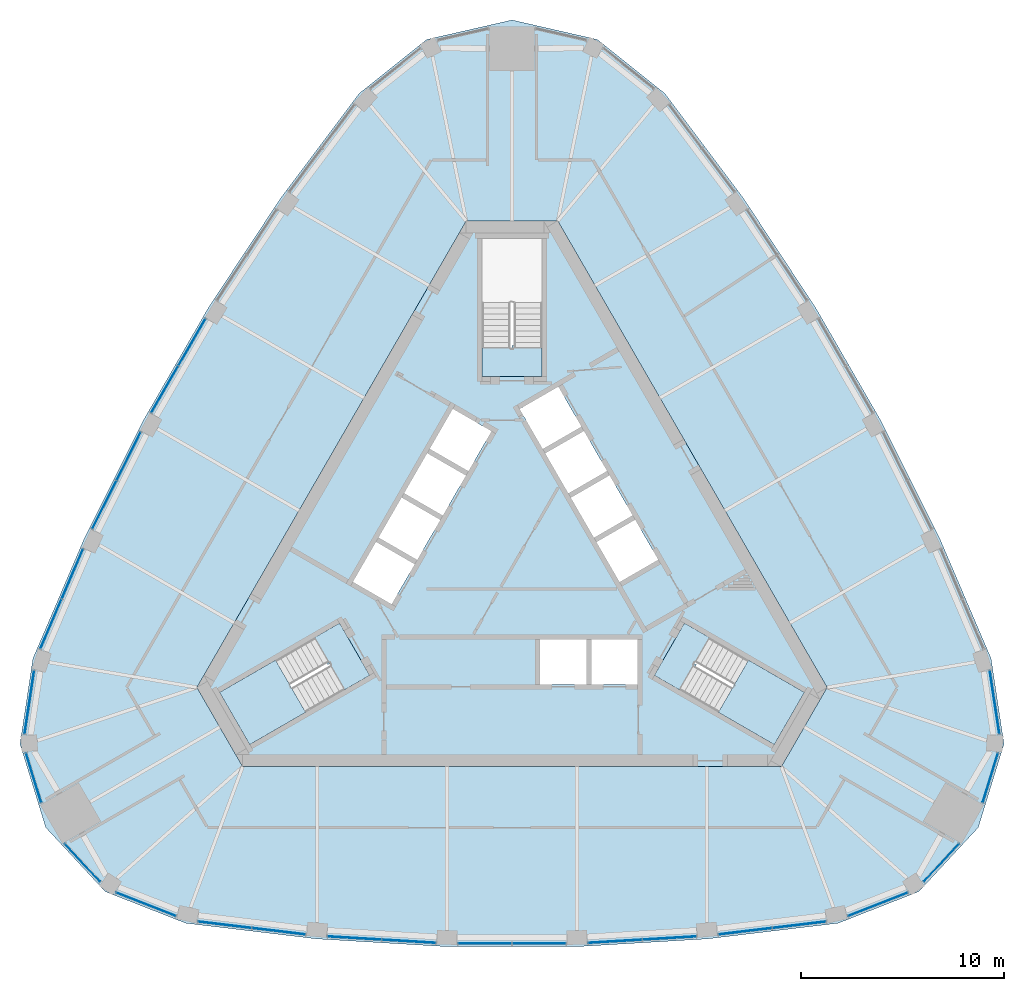
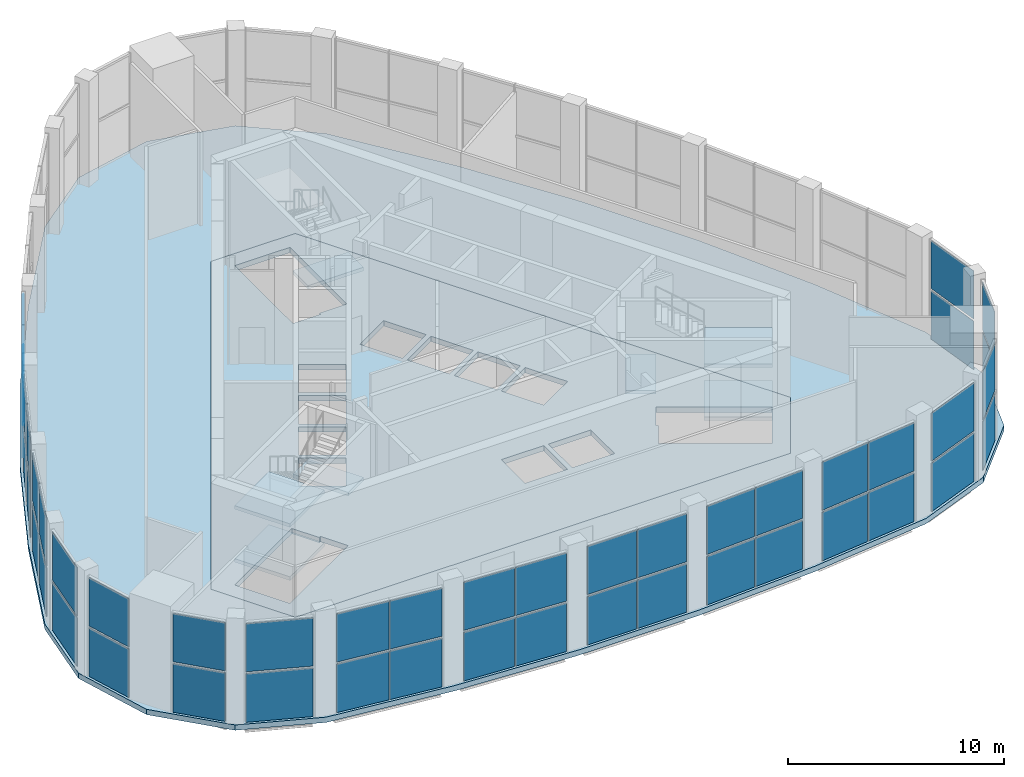
# One storey, part 8 of 15: 48 plates, 9 slabs, 7 elements without a shape of their own.
"""IFC4 building model written with IfcOpenShell, lengths in metres."""

from ifc_helpers import new_model, si_unit, direction, frame, origin, origin_2d, place, context, subcontext, project, spatial, polyline, rectangle, outline, extrude, material, layer, layer_set, type_object, element, aggregate, save


model = new_model("IFC4")

# Units and contexts
model_context = context("Model", 3, precision=1e-05, world=origin(), true_north=direction((0.0, 1.0)))
body_context = subcontext(model_context, "Body", "Model", "MODEL_VIEW")
ifc_project = project(units=[si_unit("LENGTHUNIT", "METRE"), si_unit("AREAUNIT", "SQUARE_METRE"), si_unit("VOLUMEUNIT", "CUBIC_METRE"), si_unit("PLANEANGLEUNIT", "RADIAN"), si_unit("MASSUNIT", "GRAM", prefix="KILO")], contexts=[model_context])

# Site, building, storey
site_placement = place(None, origin())
site = spatial("IfcSite", under=ifc_project, at=site_placement, CompositionType="ELEMENT")
building_placement = place(site_placement, origin())
building = spatial("IfcBuilding", under=site, at=building_placement, Name="Mestral Congress Tower", CompositionType="ELEMENT")
storey_placement = place(building_placement, frame((0.0, 0.0, 321.60009765625)))
storey = spatial("IfcBuildingStorey", under=building, at=storey_placement, Name="L75", CompositionType="ELEMENT", Elevation=321.60009765625)

# Slabs
ifc_material_1 = material(Name="Concrete C35/45", Category="concrete")
ifc_layer_1 = layer(ifc_material_1, 0.300048828125)
ifc_layer_set_1 = layer_set([ifc_layer_1], Name="Concrete C35/45")
slab_type_1 = type_object("IfcSlabType", Name="Composite floor slab 300", PredefinedType="FLOOR", material=ifc_layer_set_1)
placement_1 = place(storey_placement, frame((0.0, 0.0, -0.300048828125)))
element("IfcSlab", 1, at=placement_1, inside=storey, type_object=slab_type_1, Name="SL-L75", PredefinedType="FLOOR", context=body_context, shape_type="SweptSolid", body=[
    extrude(outline(polyline([(-16.051513671875, -17.951904296875), (-20.014404296875, -16.39794921875), (-22.940673828125, -13.244873046875), (-24.208251953125, -9.1337890625), (-23.572509765625, -4.925048828125), (-21.027587890625, 1.0234375), (-18.152099609375, 6.77001953125), (-14.939208984375, 12.335205078125), (-11.400146484375, 17.698486328125), (-7.52099609375, 22.876953125), (-4.19384765625, 25.531982421875), (0.0, 26.48974609375), (4.19384765625, 25.531982421875), (7.52099609375, 22.876953125), (11.400146484375, 17.698486328125), (14.939208984375, 12.335205078125), (18.152099609375, 6.77001953125), (21.027587890625, 1.0234375), (23.572509765625, -4.925048828125), (24.208251953125, -9.1337890625), (22.940673828125, -13.244873046875), (20.014404296875, -16.39794921875), (16.051513671875, -17.951904296875), (9.62744140625, -18.72216796875), (3.212890625, -19.105224609375), (-3.212890625, -19.105224609375), (-9.62744140625, -18.72216796875), (-16.051513671875, -17.951904296875)]), holes=[polyline([(-2.251708984375, 16.60009765625), (-15.501953125, -6.35009765625), (-13.250244140625, -10.25), (13.250244140625, -10.25), (15.501953125, -6.35009765625), (2.251708984375, 16.60009765625), (-2.251708984375, 16.60009765625)])]), origin(), (0.0, 0.0, 1.0), 0.300048828125),
])
ifc_material_2 = material(Name="Concrete C60/75", Category="concrete")
ifc_layer_2 = layer(ifc_material_2, 0.300048828125)
ifc_layer_set_2 = layer_set([ifc_layer_2], Name="Concrete C60/75")
slab_type_2 = type_object("IfcSlabType", Name="Core floor slab RC 300", PredefinedType="FLOOR", material=ifc_layer_set_2)
element("IfcSlab", 2, at=placement_1, inside=storey, type_object=slab_type_2, Name="L75 core floor", PredefinedType="FLOOR", context=body_context, shape_type="SweptSolid", body=[
    extrude(outline(polyline([(13.250244140625, -10.25), (-13.250244140625, -10.25), (-15.501953125, -6.35009765625), (-2.251708984375, 16.60009765625), (2.251708984375, 16.60009765625), (15.501953125, -6.35009765625), (13.250244140625, -10.25)]), holes=[polyline([(-14.37744140625, -6.59765625), (-12.90234375, -9.15234375), (-8.234619140625, -6.45751953125), (-8.971923828125, -5.179931640625), (-9.0673828125, -5.235107421875), (-9.8046875, -3.95751953125), (-14.37744140625, -6.59765625)]), polyline([(-5.921630859375, -2.256591796875), (-4.78662109375, -0.29052734375), (-6.69189453125, 0.809326171875), (-7.826904296875, -1.156494140625), (-5.921630859375, -2.256591796875)]), polyline([(-4.66162109375, -0.07421875), (-3.526611328125, 1.8916015625), (-5.431884765625, 2.99169921875), (-6.56689453125, 1.02587890625), (-4.66162109375, -0.07421875)]), polyline([(-2.2666015625, 4.07421875), (-4.171875, 5.174072265625), (-5.306884765625, 3.208251953125), (-3.401611328125, 2.1083984375), (-2.2666015625, 4.07421875)]), polyline([(-2.1416015625, 4.29052734375), (-1.006591796875, 6.256591796875), (-2.911865234375, 7.3564453125), (-4.046875, 5.390625), (-2.1416015625, 4.29052734375)]), polyline([(0.376708984375, 7.34765625), (1.51171875, 5.3818359375), (3.4169921875, 6.481689453125), (2.281982421875, 8.44775390625), (0.376708984375, 7.34765625)]), polyline([(1.47509765625, 15.75), (-1.47509765625, 15.75), (-1.47509765625, 10.360107421875), (0.0, 10.360107421875), (0.0, 10.469970703125), (1.47509765625, 10.469970703125), (1.47509765625, 15.75)]), polyline([(8.329833984375, -6.512451171875), (12.90234375, -9.15234375), (14.37744140625, -6.59765625), (9.70947265625, -3.902587890625), (8.971923828125, -5.179931640625), (9.0673828125, -5.235107421875), (8.329833984375, -6.512451171875)]), polyline([(3.655029296875, -4.0), (1.385009765625, -4.0), (1.385009765625, -6.199951171875), (3.655029296875, -6.199951171875), (3.655029296875, -4.0)]), polyline([(6.175048828125, -4.0), (3.905029296875, -4.0), (3.905029296875, -6.199951171875), (6.175048828125, -6.199951171875), (6.175048828125, -4.0)]), polyline([(4.156494140625, 0.800537109375), (5.29150390625, -1.165283203125), (7.197021484375, -0.065185546875), (6.06201171875, 1.900634765625), (4.156494140625, 0.800537109375)]), polyline([(2.896484375, 2.98291015625), (4.031494140625, 1.01708984375), (5.93701171875, 2.1171875), (4.802001953125, 4.0830078125), (2.896484375, 2.98291015625)]), polyline([(1.63671875, 5.165283203125), (2.771484375, 3.199462890625), (4.677001953125, 4.29931640625), (3.5419921875, 6.265380859375), (1.63671875, 5.165283203125)])]), origin(), (0.0, 0.0, 1.0), 0.300048828125),
])

# Stair, slabs
stair_type = type_object("IfcStairType", Name="Exit stair 1400", PredefinedType="HALF_TURN_STAIR", material=ifc_material_2)
placement_2 = place(storey_placement, origin())
stair_1 = element("IfcStair", 3, at=placement_2, inside=storey, type_object=stair_type, Name="L75 ST1", PredefinedType="HALF_TURN_STAIR")
ifc_layer_3 = layer(ifc_material_2, 0.199951171875)
ifc_layer_set_3 = layer_set([ifc_layer_3], Name="Concrete C60/75")
slab_type_3 = type_object("IfcSlabType", Name="Exit stair landing 200", PredefinedType="LANDING", material=ifc_layer_set_3)
placement_3 = place(storey_placement, frame((0.0, 0.0, 1.2998046875)))
slab_3 = element("IfcSlab", 4, at=placement_3, type_object=slab_type_3, Name="ST1 landing 1", PredefinedType="LANDING", context=body_context, shape_type="SweptSolid", body=[
    extrude(outline(polyline([(10.152099609375, -7.575927734375), (11.63720703125, -5.00390625), (14.39111328125, -6.593994140625), (12.906005859375, -9.166015625), (10.152099609375, -7.575927734375)])), origin(), (0.0, 0.0, 1.0), 0.2001953125),
])
placement_4 = place(storey_placement, frame((0.0, 0.0, 2.7998046875)))
slab_4 = element("IfcSlab", 5, at=placement_4, type_object=slab_type_3, Name="ST1 landing 2", PredefinedType="LANDING", context=body_context, shape_type="SweptSolid", body=[
    extrude(outline(polyline([(6.999755859375, -5.756103515625), (8.48486328125, -3.18408203125), (9.714599609375, -3.89404296875), (8.2294921875, -6.466064453125), (6.999755859375, -5.756103515625)])), origin(), (0.0, 0.0, 1.0), 0.2001953125),
])
placement_5 = place(storey_placement, frame((0.0, 0.0, 4.2998046875)))
slab_5 = element("IfcSlab", 6, at=placement_5, type_object=slab_type_3, Name="ST1 landing 3", PredefinedType="LANDING", context=body_context, shape_type="SweptSolid", body=[
    extrude(outline(polyline([(10.152099609375, -7.575927734375), (11.63720703125, -5.00390625), (14.39111328125, -6.593994140625), (12.906005859375, -9.166015625), (10.152099609375, -7.575927734375)])), origin(), (0.0, 0.0, 1.0), 0.2001953125),
])
aggregate(stair_1, [slab_3, slab_4, slab_5])

# Stair, slab
stair_2 = element("IfcStair", 7, at=placement_2, inside=storey, type_object=stair_type, Name="L75 ST2", PredefinedType="HALF_TURN_STAIR")
slab_6 = element("IfcSlab", 8, at=placement_4, type_object=slab_type_3, Name="ST2 landing 2", PredefinedType="LANDING", context=body_context, shape_type="SweptSolid", body=[
    extrude(outline(polyline([(1.485107421875, 8.93994140625), (-1.485107421875, 8.93994140625), (-1.485107421875, 10.360107421875), (1.485107421875, 10.360107421875), (1.485107421875, 8.93994140625)])), origin(), (0.0, 0.0, 1.0), 0.2001953125),
])
aggregate(stair_2, [slab_6])

# Stair, slabs
stair_3 = element("IfcStair", 9, at=placement_2, inside=storey, type_object=stair_type, Name="L75 ST3", PredefinedType="HALF_TURN_STAIR")
slab_7 = element("IfcSlab", 10, at=placement_3, type_object=slab_type_3, Name="ST3 landing 1", PredefinedType="LANDING", context=body_context, shape_type="SweptSolid", body=[
    extrude(outline(polyline([(-11.63720703125, -5.00390625), (-10.152099609375, -7.575927734375), (-12.906005859375, -9.166015625), (-14.39111328125, -6.593994140625), (-11.63720703125, -5.00390625)])), origin(), (0.0, 0.0, 1.0), 0.2001953125),
])
slab_8 = element("IfcSlab", 11, at=placement_4, type_object=slab_type_3, Name="ST3 landing 2", PredefinedType="LANDING", context=body_context, shape_type="SweptSolid", body=[
    extrude(outline(polyline([(-8.48486328125, -3.18408203125), (-6.999755859375, -5.756103515625), (-8.2294921875, -6.466064453125), (-9.714599609375, -3.89404296875), (-8.48486328125, -3.18408203125)])), origin(), (0.0, 0.0, 1.0), 0.2001953125),
])
slab_9 = element("IfcSlab", 12, at=placement_5, type_object=slab_type_3, Name="ST3 landing 3", PredefinedType="LANDING", context=body_context, shape_type="SweptSolid", body=[
    extrude(outline(polyline([(-11.63720703125, -5.00390625), (-10.152099609375, -7.575927734375), (-12.906005859375, -9.166015625), (-14.39111328125, -6.593994140625), (-11.63720703125, -5.00390625)])), origin(), (0.0, 0.0, 1.0), 0.2001953125),
])
aggregate(stair_3, [slab_7, slab_8, slab_9])

# Curtain wall, plates
ifc_material_3 = material(Name="Clear low-emissivity double glazing", Category="glass")
curtain_wall_type = type_object("IfcCurtainWallType", Name="Facade lookout lounge curtain wall", PredefinedType="USERDEFINED", material=ifc_material_3)
curtain_wall_1 = element("IfcCurtainWall", 13, at=placement_2, inside=storey, type_object=curtain_wall_type, Name="Facade lookout lounge curtain wall face 1", ObjectType="CURTAIN WALL", PredefinedType="USERDEFINED")
ifc_layer_4 = layer(ifc_material_3, 0.030029296875)
ifc_layer_set_4 = layer_set([ifc_layer_4], Name="Clear low-emissivity double glazing")
plate_type = type_object("IfcPlateType", Name="Facade lookout lounge curtain wall panel", PredefinedType="CURTAIN_PANEL", material=ifc_layer_set_4)
plate_1_placement = place(storey_placement, frame((-14.135986328125, -18.030517578125, 0.0), z_axis=(0.0, 0.0, 1.0), x_axis=(0.992887384636, -0.119057303137, 0.0)))
plate_1 = element("IfcPlate", 14, at=plate_1_placement, type_object=plate_type, Name="Lookout glass unit", PredefinedType="CURTAIN_PANEL", context=body_context, shape_type="SweptSolid", body=[
    extrude(rectangle(XDim=2.632568359375, YDim=0.030029296875, at=origin_2d()), origin(), (0.0, 0.0, 1.0), 2.739990234375),
])
plate_2_placement = place(storey_placement, frame((-14.135986328125, -18.030517578125, 2.85986328125), z_axis=(0.0, 0.0, 1.0), x_axis=(0.992887384636, -0.119057303137, 0.0)))
plate_2 = element("IfcPlate", 15, at=plate_2_placement, type_object=plate_type, Name="Lookout glass unit", PredefinedType="CURTAIN_PANEL", context=body_context, shape_type="SweptSolid", body=[
    extrude(rectangle(XDim=2.632568359375, YDim=0.030029296875, at=origin_2d()), origin(), (0.0, 0.0, 1.0), 2.719970703125),
])
plate_3_placement = place(storey_placement, frame((-11.472412109375, -18.349853515625, 0.0), z_axis=(0.0, 0.0, 1.0), x_axis=(0.992887384636, -0.119057303137, 0.0)))
plate_3 = element("IfcPlate", 16, at=plate_3_placement, type_object=plate_type, Name="Lookout glass unit", PredefinedType="CURTAIN_PANEL", context=body_context, shape_type="SweptSolid", body=[
    extrude(rectangle(XDim=2.632568359375, YDim=0.030029296875, at=origin_2d()), origin(), (0.0, 0.0, 1.0), 2.739990234375),
])
plate_4_placement = place(storey_placement, frame((-11.472412109375, -18.349853515625, 2.85986328125), z_axis=(0.0, 0.0, 1.0), x_axis=(0.992887384636, -0.119057303137, 0.0)))
plate_4 = element("IfcPlate", 17, at=plate_4_placement, type_object=plate_type, Name="Lookout glass unit", PredefinedType="CURTAIN_PANEL", context=body_context, shape_type="SweptSolid", body=[
    extrude(rectangle(XDim=2.632568359375, YDim=0.030029296875, at=origin_2d()), origin(), (0.0, 0.0, 1.0), 2.719970703125),
])
plate_5_placement = place(storey_placement, frame((-7.747802734375, -18.68408203125, 0.0), z_axis=(0.0, 0.0, 1.0), x_axis=(0.998221251071, -0.05961823471, 0.0)))
plate_5 = element("IfcPlate", 18, at=plate_5_placement, type_object=plate_type, Name="Lookout glass unit", PredefinedType="CURTAIN_PANEL", context=body_context, shape_type="SweptSolid", body=[
    extrude(rectangle(XDim=2.6279296875, YDim=0.030029296875, at=origin_2d()), origin(), (0.0, 0.0, 1.0), 2.739990234375),
])
plate_6_placement = place(storey_placement, frame((-7.747802734375, -18.68408203125, 2.85986328125), z_axis=(0.0, 0.0, 1.0), x_axis=(0.998221251071, -0.05961823471, 0.0)))
plate_6 = element("IfcPlate", 19, at=plate_6_placement, type_object=plate_type, Name="Lookout glass unit", PredefinedType="CURTAIN_PANEL", context=body_context, shape_type="SweptSolid", body=[
    extrude(rectangle(XDim=2.6279296875, YDim=0.030029296875, at=origin_2d()), origin(), (0.0, 0.0, 1.0), 2.719970703125),
])
plate_7_placement = place(storey_placement, frame((-5.07470703125, -18.84375, 0.0), z_axis=(0.0, 0.0, 1.0), x_axis=(0.998221251071, -0.05961823471, 0.0)))
plate_7 = element("IfcPlate", 20, at=plate_7_placement, type_object=plate_type, Name="Lookout glass unit", PredefinedType="CURTAIN_PANEL", context=body_context, shape_type="SweptSolid", body=[
    extrude(rectangle(XDim=2.6279296875, YDim=0.030029296875, at=origin_2d()), origin(), (0.0, 0.0, 1.0), 2.739990234375),
])
plate_8_placement = place(storey_placement, frame((-5.07470703125, -18.84375, 2.85986328125), z_axis=(0.0, 0.0, 1.0), x_axis=(0.998221251071, -0.05961823471, 0.0)))
plate_8 = element("IfcPlate", 21, at=plate_8_placement, type_object=plate_type, Name="Lookout glass unit", PredefinedType="CURTAIN_PANEL", context=body_context, shape_type="SweptSolid", body=[
    extrude(rectangle(XDim=2.6279296875, YDim=0.030029296875, at=origin_2d()), origin(), (0.0, 0.0, 1.0), 2.719970703125),
])
plate_9_placement = place(storey_placement, frame((-1.339111328125, -18.955078125, 0.0), z_axis=(0.0, 0.0, 1.0), x_axis=(1.0, 0.0, 0.0)))
plate_9 = element("IfcPlate", 22, at=plate_9_placement, type_object=plate_type, Name="Lookout glass unit", PredefinedType="CURTAIN_PANEL", context=body_context, shape_type="SweptSolid", body=[
    extrude(rectangle(XDim=2.6279296875, YDim=0.030029296875, at=origin_2d()), origin(), (0.0, 0.0, 1.0), 2.739990234375),
])
plate_10_placement = place(storey_placement, frame((-1.339111328125, -18.955078125, 2.85986328125), z_axis=(0.0, 0.0, 1.0), x_axis=(1.0, 0.0, 0.0)))
plate_10 = element("IfcPlate", 23, at=plate_10_placement, type_object=plate_type, Name="Lookout glass unit", PredefinedType="CURTAIN_PANEL", context=body_context, shape_type="SweptSolid", body=[
    extrude(rectangle(XDim=2.6279296875, YDim=0.030029296875, at=origin_2d()), origin(), (0.0, 0.0, 1.0), 2.719970703125),
])
plate_11_placement = place(storey_placement, frame((1.339111328125, -18.955078125, 0.0), z_axis=(0.0, 0.0, 1.0), x_axis=(1.0, 0.0, 0.0)))
plate_11 = element("IfcPlate", 24, at=plate_11_placement, type_object=plate_type, Name="Lookout glass unit", PredefinedType="CURTAIN_PANEL", context=body_context, shape_type="SweptSolid", body=[
    extrude(rectangle(XDim=2.6279296875, YDim=0.030029296875, at=origin_2d()), origin(), (0.0, 0.0, 1.0), 2.739990234375),
])
plate_12_placement = place(storey_placement, frame((1.339111328125, -18.955078125, 2.85986328125), z_axis=(0.0, 0.0, 1.0), x_axis=(1.0, 0.0, 0.0)))
plate_12 = element("IfcPlate", 25, at=plate_12_placement, type_object=plate_type, Name="Lookout glass unit", PredefinedType="CURTAIN_PANEL", context=body_context, shape_type="SweptSolid", body=[
    extrude(rectangle(XDim=2.6279296875, YDim=0.030029296875, at=origin_2d()), origin(), (0.0, 0.0, 1.0), 2.719970703125),
])
plate_13_placement = place(storey_placement, frame((5.07470703125, -18.84375, 0.0), z_axis=(0.0, 0.0, 1.0), x_axis=(0.998221251071, 0.05961823471, 0.0)))
plate_13 = element("IfcPlate", 26, at=plate_13_placement, type_object=plate_type, Name="Lookout glass unit", PredefinedType="CURTAIN_PANEL", context=body_context, shape_type="SweptSolid", body=[
    extrude(rectangle(XDim=2.6279296875, YDim=0.030029296875, at=origin_2d()), origin(), (0.0, 0.0, 1.0), 2.739990234375),
])
plate_14_placement = place(storey_placement, frame((5.07470703125, -18.84375, 2.85986328125), z_axis=(0.0, 0.0, 1.0), x_axis=(0.998221251071, 0.05961823471, 0.0)))
plate_14 = element("IfcPlate", 27, at=plate_14_placement, type_object=plate_type, Name="Lookout glass unit", PredefinedType="CURTAIN_PANEL", context=body_context, shape_type="SweptSolid", body=[
    extrude(rectangle(XDim=2.6279296875, YDim=0.030029296875, at=origin_2d()), origin(), (0.0, 0.0, 1.0), 2.719970703125),
])
plate_15_placement = place(storey_placement, frame((7.747802734375, -18.68408203125, 0.0), z_axis=(0.0, 0.0, 1.0), x_axis=(0.998221251071, 0.05961823471, 0.0)))
plate_15 = element("IfcPlate", 28, at=plate_15_placement, type_object=plate_type, Name="Lookout glass unit", PredefinedType="CURTAIN_PANEL", context=body_context, shape_type="SweptSolid", body=[
    extrude(rectangle(XDim=2.6279296875, YDim=0.030029296875, at=origin_2d()), origin(), (0.0, 0.0, 1.0), 2.739990234375),
])
plate_16_placement = place(storey_placement, frame((7.747802734375, -18.68408203125, 2.85986328125), z_axis=(0.0, 0.0, 1.0), x_axis=(0.998221251071, 0.05961823471, 0.0)))
plate_16 = element("IfcPlate", 29, at=plate_16_placement, type_object=plate_type, Name="Lookout glass unit", PredefinedType="CURTAIN_PANEL", context=body_context, shape_type="SweptSolid", body=[
    extrude(rectangle(XDim=2.6279296875, YDim=0.030029296875, at=origin_2d()), origin(), (0.0, 0.0, 1.0), 2.719970703125),
])
plate_17_placement = place(storey_placement, frame((11.472412109375, -18.349853515625, 0.0), z_axis=(0.0, 0.0, 1.0), x_axis=(0.992887384636, 0.119057303137, 0.0)))
plate_17 = element("IfcPlate", 30, at=plate_17_placement, type_object=plate_type, Name="Lookout glass unit", PredefinedType="CURTAIN_PANEL", context=body_context, shape_type="SweptSolid", body=[
    extrude(rectangle(XDim=2.632568359375, YDim=0.030029296875, at=origin_2d()), origin(), (0.0, 0.0, 1.0), 2.739990234375),
])
plate_18_placement = place(storey_placement, frame((11.472412109375, -18.349853515625, 2.85986328125), z_axis=(0.0, 0.0, 1.0), x_axis=(0.992887384636, 0.119057303137, 0.0)))
plate_18 = element("IfcPlate", 31, at=plate_18_placement, type_object=plate_type, Name="Lookout glass unit", PredefinedType="CURTAIN_PANEL", context=body_context, shape_type="SweptSolid", body=[
    extrude(rectangle(XDim=2.632568359375, YDim=0.030029296875, at=origin_2d()), origin(), (0.0, 0.0, 1.0), 2.719970703125),
])
plate_19_placement = place(storey_placement, frame((14.135986328125, -18.030517578125, 0.0), z_axis=(0.0, 0.0, 1.0), x_axis=(0.992887384636, 0.119057303137, 0.0)))
plate_19 = element("IfcPlate", 32, at=plate_19_placement, type_object=plate_type, Name="Lookout glass unit", PredefinedType="CURTAIN_PANEL", context=body_context, shape_type="SweptSolid", body=[
    extrude(rectangle(XDim=2.632568359375, YDim=0.030029296875, at=origin_2d()), origin(), (0.0, 0.0, 1.0), 2.739990234375),
])
plate_20_placement = place(storey_placement, frame((14.135986328125, -18.030517578125, 2.85986328125), z_axis=(0.0, 0.0, 1.0), x_axis=(0.992887384636, 0.119057303137, 0.0)))
plate_20 = element("IfcPlate", 33, at=plate_20_placement, type_object=plate_type, Name="Lookout glass unit", PredefinedType="CURTAIN_PANEL", context=body_context, shape_type="SweptSolid", body=[
    extrude(rectangle(XDim=2.632568359375, YDim=0.030029296875, at=origin_2d()), origin(), (0.0, 0.0, 1.0), 2.719970703125),
])
aggregate(curtain_wall_1, [plate_1, plate_2, plate_3, plate_4, plate_5, plate_6, plate_7, plate_8, plate_9, plate_10, plate_11, plate_12, plate_13, plate_14, plate_15, plate_16, plate_17, plate_18, plate_19, plate_20])

curtain_wall_2 = element("IfcCurtainWall", 34, at=placement_2, inside=storey, type_object=curtain_wall_type, Name="Facade lookout lounge curtain wall face 3", ObjectType="CURTAIN WALL", PredefinedType="USERDEFINED")
plate_21_placement = place(storey_placement, frame((-15.74609375, 10.63720703125, 0.0), z_axis=(0.0, 0.0, 1.0), x_axis=(-0.500006045986, -0.866021913105, 0.0)))
plate_21 = element("IfcPlate", 35, at=plate_21_placement, type_object=plate_type, Name="Lookout glass unit", PredefinedType="CURTAIN_PANEL", context=body_context, shape_type="SweptSolid", body=[
    extrude(rectangle(XDim=2.6279296875, YDim=0.030029296875, at=origin_2d()), origin(), (0.0, 0.0, 1.0), 2.739990234375),
])
plate_22_placement = place(storey_placement, frame((-15.74609375, 10.63720703125, 2.85986328125), z_axis=(0.0, 0.0, 1.0), x_axis=(-0.500006045986, -0.866021913105, 0.0)))
plate_22 = element("IfcPlate", 36, at=plate_22_placement, type_object=plate_type, Name="Lookout glass unit", PredefinedType="CURTAIN_PANEL", context=body_context, shape_type="SweptSolid", body=[
    extrude(rectangle(XDim=2.6279296875, YDim=0.030029296875, at=origin_2d()), origin(), (0.0, 0.0, 1.0), 2.719970703125),
])
plate_23_placement = place(storey_placement, frame((-17.085205078125, 8.318115234375, 0.0), z_axis=(0.0, 0.0, 1.0), x_axis=(-0.500006045986, -0.866021913105, 0.0)))
plate_23 = element("IfcPlate", 37, at=plate_23_placement, type_object=plate_type, Name="Lookout glass unit", PredefinedType="CURTAIN_PANEL", context=body_context, shape_type="SweptSolid", body=[
    extrude(rectangle(XDim=2.6279296875, YDim=0.030029296875, at=origin_2d()), origin(), (0.0, 0.0, 1.0), 2.739990234375),
])
plate_24_placement = place(storey_placement, frame((-17.085205078125, 8.318115234375, 2.85986328125), z_axis=(0.0, 0.0, 1.0), x_axis=(-0.500006045986, -0.866021913105, 0.0)))
plate_24 = element("IfcPlate", 38, at=plate_24_placement, type_object=plate_type, Name="Lookout glass unit", PredefinedType="CURTAIN_PANEL", context=body_context, shape_type="SweptSolid", body=[
    extrude(rectangle(XDim=2.6279296875, YDim=0.030029296875, at=origin_2d()), origin(), (0.0, 0.0, 1.0), 2.719970703125),
])
plate_25_placement = place(storey_placement, frame((-18.8564453125, 5.027099609375, 0.0), z_axis=(0.0, 0.0, 1.0), x_axis=(-0.447468793851, -0.89429954631, 0.0)))
plate_25 = element("IfcPlate", 39, at=plate_25_placement, type_object=plate_type, Name="Lookout glass unit", PredefinedType="CURTAIN_PANEL", context=body_context, shape_type="SweptSolid", body=[
    extrude(rectangle(XDim=2.6279296875, YDim=0.030029296875, at=origin_2d()), origin(), (0.0, 0.0, 1.0), 2.739990234375),
])
plate_26_placement = place(storey_placement, frame((-18.8564453125, 5.027099609375, 2.85986328125), z_axis=(0.0, 0.0, 1.0), x_axis=(-0.447468793851, -0.89429954631, 0.0)))
plate_26 = element("IfcPlate", 40, at=plate_26_placement, type_object=plate_type, Name="Lookout glass unit", PredefinedType="CURTAIN_PANEL", context=body_context, shape_type="SweptSolid", body=[
    extrude(rectangle(XDim=2.6279296875, YDim=0.030029296875, at=origin_2d()), origin(), (0.0, 0.0, 1.0), 2.719970703125),
])
plate_27_placement = place(storey_placement, frame((-20.0546875, 2.632080078125, 0.0), z_axis=(0.0, 0.0, 1.0), x_axis=(-0.447468793851, -0.89429954631, 0.0)))
plate_27 = element("IfcPlate", 41, at=plate_27_placement, type_object=plate_type, Name="Lookout glass unit", PredefinedType="CURTAIN_PANEL", context=body_context, shape_type="SweptSolid", body=[
    extrude(rectangle(XDim=2.6279296875, YDim=0.030029296875, at=origin_2d()), origin(), (0.0, 0.0, 1.0), 2.739990234375),
])
plate_28_placement = place(storey_placement, frame((-20.0546875, 2.632080078125, 2.85986328125), z_axis=(0.0, 0.0, 1.0), x_axis=(-0.447468793851, -0.89429954631, 0.0)))
plate_28 = element("IfcPlate", 42, at=plate_28_placement, type_object=plate_type, Name="Lookout glass unit", PredefinedType="CURTAIN_PANEL", context=body_context, shape_type="SweptSolid", body=[
    extrude(rectangle(XDim=2.6279296875, YDim=0.030029296875, at=origin_2d()), origin(), (0.0, 0.0, 1.0), 2.719970703125),
])
plate_29_placement = place(storey_placement, frame((-21.627685546875, -0.760498046875, 0.0), z_axis=(0.0, 0.0, 1.0), x_axis=(-0.39335629896, -0.919386111527, 0.0)))
plate_29 = element("IfcPlate", 43, at=plate_29_placement, type_object=plate_type, Name="Lookout glass unit", PredefinedType="CURTAIN_PANEL", context=body_context, shape_type="SweptSolid", body=[
    extrude(rectangle(XDim=2.632568359375, YDim=0.030029296875, at=origin_2d()), origin(), (0.0, 0.0, 1.0), 2.739990234375),
])
plate_30_placement = place(storey_placement, frame((-21.627685546875, -0.760498046875, 2.85986328125), z_axis=(0.0, 0.0, 1.0), x_axis=(-0.39335629896, -0.919386111527, 0.0)))
plate_30 = element("IfcPlate", 44, at=plate_30_placement, type_object=plate_type, Name="Lookout glass unit", PredefinedType="CURTAIN_PANEL", context=body_context, shape_type="SweptSolid", body=[
    extrude(rectangle(XDim=2.632568359375, YDim=0.030029296875, at=origin_2d()), origin(), (0.0, 0.0, 1.0), 2.719970703125),
])
plate_31_placement = place(storey_placement, frame((-22.682861328125, -3.226806640625, 0.0), z_axis=(0.0, 0.0, 1.0), x_axis=(-0.39335629896, -0.919386111527, 0.0)))
plate_31 = element("IfcPlate", 45, at=plate_31_placement, type_object=plate_type, Name="Lookout glass unit", PredefinedType="CURTAIN_PANEL", context=body_context, shape_type="SweptSolid", body=[
    extrude(rectangle(XDim=2.632568359375, YDim=0.030029296875, at=origin_2d()), origin(), (0.0, 0.0, 1.0), 2.739990234375),
])
plate_32_placement = place(storey_placement, frame((-22.682861328125, -3.226806640625, 2.85986328125), z_axis=(0.0, 0.0, 1.0), x_axis=(-0.39335629896, -0.919386111527, 0.0)))
plate_32 = element("IfcPlate", 46, at=plate_32_placement, type_object=plate_type, Name="Lookout glass unit", PredefinedType="CURTAIN_PANEL", context=body_context, shape_type="SweptSolid", body=[
    extrude(rectangle(XDim=2.632568359375, YDim=0.030029296875, at=origin_2d()), origin(), (0.0, 0.0, 1.0), 2.719970703125),
])
aggregate(curtain_wall_2, [plate_21, plate_22, plate_23, plate_24, plate_25, plate_26, plate_27, plate_28, plate_29, plate_30, plate_31, plate_32])

curtain_wall_3 = element("IfcCurtainWall", 47, at=placement_2, inside=storey, type_object=curtain_wall_type, Name="Facade lookout lounge curtain wall corner 1", ObjectType="CURTAIN WALL", PredefinedType="USERDEFINED")
plate_33_placement = place(storey_placement, frame((18.006103515625, -17.0244140625, 0.0), z_axis=(0.0, 0.0, 1.0), x_axis=(0.930998489665, 0.365023029741, 0.0)))
plate_33 = element("IfcPlate", 48, at=plate_33_placement, type_object=plate_type, Name="Lookout glass unit", PredefinedType="CURTAIN_PANEL", context=body_context, shape_type="SweptSolid", body=[
    extrude(rectangle(XDim=3.13671875, YDim=0.030029296875, at=origin_2d()), origin(), (0.0, 0.0, 1.0), 2.739990234375),
])
plate_34_placement = place(storey_placement, frame((18.006103515625, -17.0244140625, 2.85986328125), z_axis=(0.0, 0.0, 1.0), x_axis=(0.930998489665, 0.365023029741, 0.0)))
plate_34 = element("IfcPlate", 49, at=plate_34_placement, type_object=plate_type, Name="Lookout glass unit", PredefinedType="CURTAIN_PANEL", context=body_context, shape_type="SweptSolid", body=[
    extrude(rectangle(XDim=3.13671875, YDim=0.030029296875, at=origin_2d()), origin(), (0.0, 0.0, 1.0), 2.719970703125),
])
plate_35_placement = place(storey_placement, frame((21.12451171875, -14.9814453125, 0.0), z_axis=(0.0, 0.0, 1.0), x_axis=(0.680242554292, 0.732987085377, 0.0)))
plate_35 = element("IfcPlate", 50, at=plate_35_placement, type_object=plate_type, Name="Lookout glass unit", PredefinedType="CURTAIN_PANEL", context=body_context, shape_type="SweptSolid", body=[
    extrude(rectangle(XDim=2.52685546875, YDim=0.030029296875, at=origin_2d()), origin(), (0.0, 0.0, 1.0), 2.739990234375),
])
plate_36_placement = place(storey_placement, frame((21.12451171875, -14.9814453125, 2.85986328125), z_axis=(0.0, 0.0, 1.0), x_axis=(0.680242554292, 0.732987085377, 0.0)))
plate_36 = element("IfcPlate", 51, at=plate_36_placement, type_object=plate_type, Name="Lookout glass unit", PredefinedType="CURTAIN_PANEL", context=body_context, shape_type="SweptSolid", body=[
    extrude(rectangle(XDim=2.52685546875, YDim=0.030029296875, at=origin_2d()), origin(), (0.0, 0.0, 1.0), 2.719970703125),
])
plate_37_placement = place(storey_placement, frame((23.53662109375, -10.803466796875, 0.0), z_axis=(0.0, 0.0, 1.0), x_axis=(0.294660823758, 0.955601904007, 0.0)))
plate_37 = element("IfcPlate", 52, at=plate_37_placement, type_object=plate_type, Name="Lookout glass unit", PredefinedType="CURTAIN_PANEL", context=body_context, shape_type="SweptSolid", body=[
    extrude(rectangle(XDim=2.52685546875, YDim=0.030029296875, at=origin_2d()), origin(), (0.0, 0.0, 1.0), 2.739990234375),
])
plate_38_placement = place(storey_placement, frame((23.53662109375, -10.803466796875, 2.85986328125), z_axis=(0.0, 0.0, 1.0), x_axis=(0.294660823758, 0.955601904007, 0.0)))
plate_38 = element("IfcPlate", 53, at=plate_38_placement, type_object=plate_type, Name="Lookout glass unit", PredefinedType="CURTAIN_PANEL", context=body_context, shape_type="SweptSolid", body=[
    extrude(rectangle(XDim=2.52685546875, YDim=0.030029296875, at=origin_2d()), origin(), (0.0, 0.0, 1.0), 2.719970703125),
])
plate_39_placement = place(storey_placement, frame((23.74658203125, -7.08154296875, 0.0), z_axis=(0.0, 0.0, 1.0), x_axis=(-0.149366222125, 0.988781943448, 0.0)))
plate_39 = element("IfcPlate", 54, at=plate_39_placement, type_object=plate_type, Name="Lookout glass unit", PredefinedType="CURTAIN_PANEL", context=body_context, shape_type="SweptSolid", body=[
    extrude(rectangle(XDim=3.13671875, YDim=0.030029296875, at=origin_2d()), origin(), (0.0, 0.0, 1.0), 2.739990234375),
])
plate_40_placement = place(storey_placement, frame((23.74658203125, -7.08154296875, 2.85986328125), z_axis=(0.0, 0.0, 1.0), x_axis=(-0.149366222125, 0.988781943448, 0.0)))
plate_40 = element("IfcPlate", 55, at=plate_40_placement, type_object=plate_type, Name="Lookout glass unit", PredefinedType="CURTAIN_PANEL", context=body_context, shape_type="SweptSolid", body=[
    extrude(rectangle(XDim=3.13671875, YDim=0.030029296875, at=origin_2d()), origin(), (0.0, 0.0, 1.0), 2.719970703125),
])
aggregate(curtain_wall_3, [plate_33, plate_34, plate_35, plate_36, plate_37, plate_38, plate_39, plate_40])

curtain_wall_4 = element("IfcCurtainWall", 56, at=placement_2, inside=storey, type_object=curtain_wall_type, Name="Facade lookout lounge curtain wall corner 3", ObjectType="CURTAIN WALL", PredefinedType="USERDEFINED")
plate_41_placement = place(storey_placement, frame((-23.74658203125, -7.08154296875, 0.0), z_axis=(0.0, 0.0, 1.0), x_axis=(-0.149366222125, -0.988781943448, 0.0)))
plate_41 = element("IfcPlate", 57, at=plate_41_placement, type_object=plate_type, Name="Lookout glass unit", PredefinedType="CURTAIN_PANEL", context=body_context, shape_type="SweptSolid", body=[
    extrude(rectangle(XDim=3.13671875, YDim=0.030029296875, at=origin_2d()), origin(), (0.0, 0.0, 1.0), 2.739990234375),
])
plate_42_placement = place(storey_placement, frame((-23.74658203125, -7.08154296875, 2.85986328125), z_axis=(0.0, 0.0, 1.0), x_axis=(-0.149366222125, -0.988781943448, 0.0)))
plate_42 = element("IfcPlate", 58, at=plate_42_placement, type_object=plate_type, Name="Lookout glass unit", PredefinedType="CURTAIN_PANEL", context=body_context, shape_type="SweptSolid", body=[
    extrude(rectangle(XDim=3.13671875, YDim=0.030029296875, at=origin_2d()), origin(), (0.0, 0.0, 1.0), 2.719970703125),
])
plate_43_placement = place(storey_placement, frame((-23.53662109375, -10.803466796875, 0.0), z_axis=(0.0, 0.0, 1.0), x_axis=(0.294660823758, -0.955601904007, 0.0)))
plate_43 = element("IfcPlate", 59, at=plate_43_placement, type_object=plate_type, Name="Lookout glass unit", PredefinedType="CURTAIN_PANEL", context=body_context, shape_type="SweptSolid", body=[
    extrude(rectangle(XDim=2.52685546875, YDim=0.030029296875, at=origin_2d()), origin(), (0.0, 0.0, 1.0), 2.739990234375),
])
plate_44_placement = place(storey_placement, frame((-23.53662109375, -10.803466796875, 2.85986328125), z_axis=(0.0, 0.0, 1.0), x_axis=(0.294660823758, -0.955601904007, 0.0)))
plate_44 = element("IfcPlate", 60, at=plate_44_placement, type_object=plate_type, Name="Lookout glass unit", PredefinedType="CURTAIN_PANEL", context=body_context, shape_type="SweptSolid", body=[
    extrude(rectangle(XDim=2.52685546875, YDim=0.030029296875, at=origin_2d()), origin(), (0.0, 0.0, 1.0), 2.719970703125),
])
plate_45_placement = place(storey_placement, frame((-21.12451171875, -14.9814453125, 0.0), z_axis=(0.0, 0.0, 1.0), x_axis=(0.680242554292, -0.732987085377, 0.0)))
plate_45 = element("IfcPlate", 61, at=plate_45_placement, type_object=plate_type, Name="Lookout glass unit", PredefinedType="CURTAIN_PANEL", context=body_context, shape_type="SweptSolid", body=[
    extrude(rectangle(XDim=2.52685546875, YDim=0.030029296875, at=origin_2d()), origin(), (0.0, 0.0, 1.0), 2.739990234375),
])
plate_46_placement = place(storey_placement, frame((-21.12451171875, -14.9814453125, 2.85986328125), z_axis=(0.0, 0.0, 1.0), x_axis=(0.680242554292, -0.732987085377, 0.0)))
plate_46 = element("IfcPlate", 62, at=plate_46_placement, type_object=plate_type, Name="Lookout glass unit", PredefinedType="CURTAIN_PANEL", context=body_context, shape_type="SweptSolid", body=[
    extrude(rectangle(XDim=2.52685546875, YDim=0.030029296875, at=origin_2d()), origin(), (0.0, 0.0, 1.0), 2.719970703125),
])
plate_47_placement = place(storey_placement, frame((-18.006103515625, -17.0244140625, 0.0), z_axis=(0.0, 0.0, 1.0), x_axis=(0.930998489665, -0.365023029741, 0.0)))
plate_47 = element("IfcPlate", 63, at=plate_47_placement, type_object=plate_type, Name="Lookout glass unit", PredefinedType="CURTAIN_PANEL", context=body_context, shape_type="SweptSolid", body=[
    extrude(rectangle(XDim=3.13671875, YDim=0.030029296875, at=origin_2d()), origin(), (0.0, 0.0, 1.0), 2.739990234375),
])
plate_48_placement = place(storey_placement, frame((-18.006103515625, -17.0244140625, 2.85986328125), z_axis=(0.0, 0.0, 1.0), x_axis=(0.930998489665, -0.365023029741, 0.0)))
plate_48 = element("IfcPlate", 64, at=plate_48_placement, type_object=plate_type, Name="Lookout glass unit", PredefinedType="CURTAIN_PANEL", context=body_context, shape_type="SweptSolid", body=[
    extrude(rectangle(XDim=3.13671875, YDim=0.030029296875, at=origin_2d()), origin(), (0.0, 0.0, 1.0), 2.719970703125),
])
aggregate(curtain_wall_4, [plate_41, plate_42, plate_43, plate_44, plate_45, plate_46, plate_47, plate_48])

save(model, "model.ifc")
